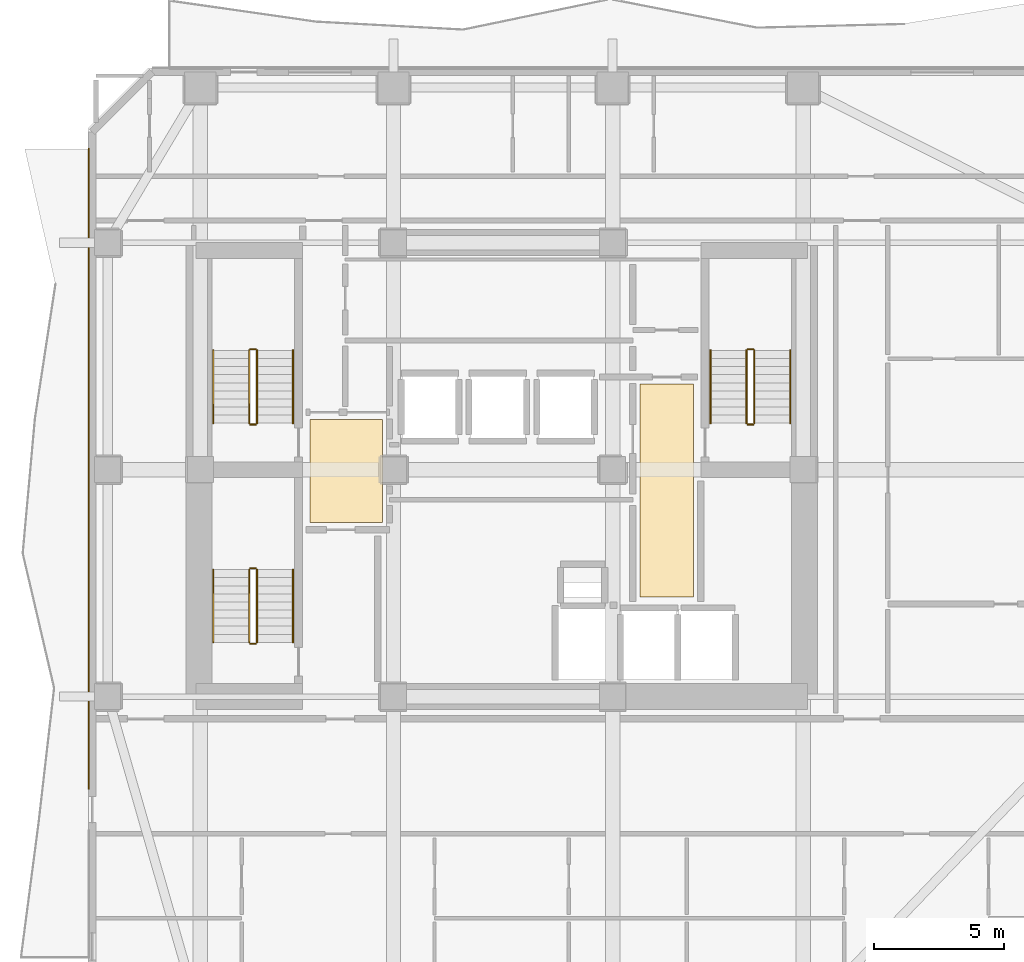
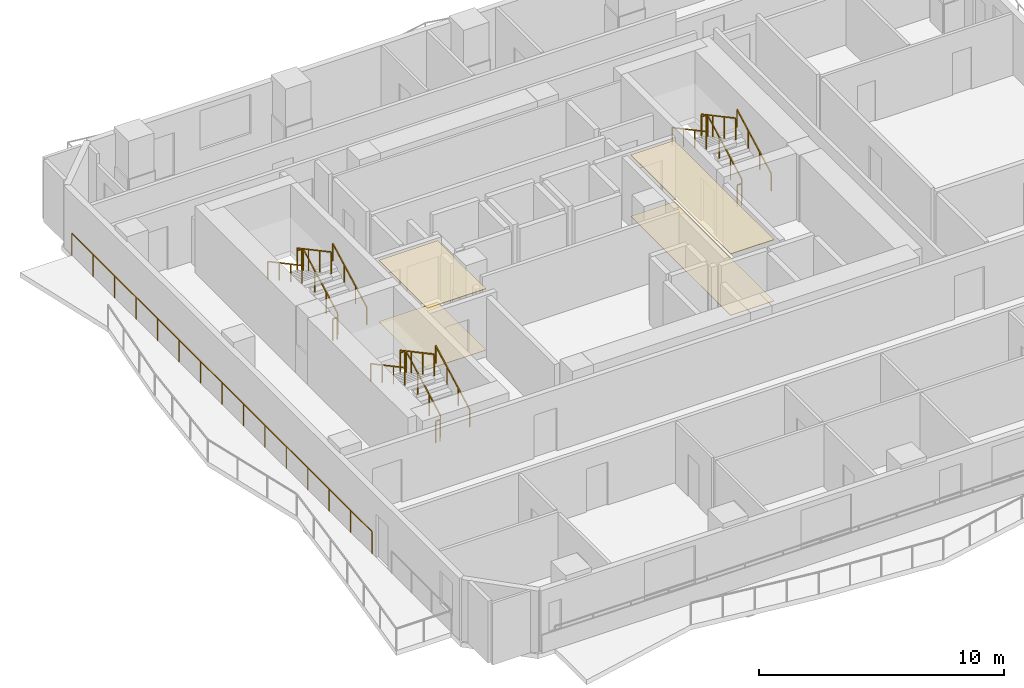
# One storey, part 8 of 9: 19 railings, 4 coverings.
"""IFC4 building model written with IfcOpenShell, lengths in metres."""

from ifc_helpers import new_model, si_unit, direction, frame, origin, origin_2d, place, context, subcontext, project, spatial, polyline, rectangle, outline, extrude, material, layer, layer_set, type_object, element, save


model = new_model("IFC4")

# Units and contexts
model_context = context("Model", 3, precision=1e-05, world=origin(), true_north=direction((0.0, 1.0)))
body_context = subcontext(model_context, "Body", "Model", "MODEL_VIEW")
ifc_project = project(units=[si_unit("LENGTHUNIT", "METRE"), si_unit("AREAUNIT", "SQUARE_METRE"), si_unit("VOLUMEUNIT", "CUBIC_METRE"), si_unit("PLANEANGLEUNIT", "RADIAN"), si_unit("MASSUNIT", "GRAM", prefix="KILO")], contexts=[model_context])

# Site, building, storey
site_placement = place(None, origin())
site = spatial("IfcSite", under=ifc_project, at=site_placement, CompositionType="ELEMENT")
building_placement = place(site_placement, origin())
building = spatial("IfcBuilding", under=site, at=building_placement, Name="Solanera Arch Residences", CompositionType="ELEMENT")
storey_placement = place(building_placement, frame((0.0, 0.0, 135.9599609375)))
storey = spatial("IfcBuildingStorey", under=building, at=storey_placement, Name="L39", CompositionType="ELEMENT", Elevation=135.9599609375)

# Railing
ifc_material_1 = material(Name="Steel S355 (ASTM A992 / A572 Grade 50)", Category="steel")
railing_type_1 = type_object("IfcRailingType", Name="Balustrade Railing BL-1100", PredefinedType="BALUSTRADE", material=ifc_material_1)
railing_1_placement = place(storey_placement, frame((9.1201171875, 18.472900390625, 0.0)))
element("IfcRailing", 1, at=railing_1_placement, inside=storey, type_object=railing_type_1, Name="L39 W Balcony Balustrade 2", PredefinedType="BALUSTRADE", context=body_context, shape_type="SweptSolid", body=[
    extrude(rectangle(XDim=0.048095703125, YDim=0.048095703125, at=origin_2d()), frame((0.0, 0.0, 1.09619140625), z_axis=(0.0, 1.0, 0.0), x_axis=(-1.0, 0.0, 0.0)), (0.0, 0.0, 1.0), 24.527099609375),
    extrude(rectangle(XDim=0.0419921875, YDim=0.0419921875, at=origin_2d()), origin(), (0.0, 0.0, 1.0), 1.072021484375),
    extrude(rectangle(XDim=0.0419921875, YDim=0.0419921875, at=origin_2d()), frame((0.0, 1.751953125, 0.0)), (0.0, 0.0, 1.0), 1.072021484375),
    extrude(rectangle(XDim=0.0419921875, YDim=0.0419921875, at=origin_2d()), frame((0.0, 3.50390625, 0.0)), (0.0, 0.0, 1.0), 1.072021484375),
    extrude(rectangle(XDim=0.0419921875, YDim=0.0419921875, at=origin_2d()), frame((0.0, 5.255859375, 0.0)), (0.0, 0.0, 1.0), 1.072021484375),
    extrude(rectangle(XDim=0.0419921875, YDim=0.0419921875, at=origin_2d()), frame((0.0, 7.0078125, 0.0)), (0.0, 0.0, 1.0), 1.072021484375),
    extrude(rectangle(XDim=0.0419921875, YDim=0.0419921875, at=origin_2d()), frame((0.0, 8.759765625, 0.0)), (0.0, 0.0, 1.0), 1.072021484375),
    extrude(rectangle(XDim=0.0419921875, YDim=0.0419921875, at=origin_2d()), frame((0.0, 10.51171875, 0.0)), (0.0, 0.0, 1.0), 1.072021484375),
    extrude(rectangle(XDim=0.0419921875, YDim=0.0419921875, at=origin_2d()), frame((0.0, 12.263671875, 0.0)), (0.0, 0.0, 1.0), 1.072021484375),
    extrude(rectangle(XDim=0.0419921875, YDim=0.0419921875, at=origin_2d()), frame((0.0, 14.015380859375, 0.0)), (0.0, 0.0, 1.0), 1.072021484375),
    extrude(rectangle(XDim=0.0419921875, YDim=0.0419921875, at=origin_2d()), frame((0.0, 15.767333984375, 0.0)), (0.0, 0.0, 1.0), 1.072021484375),
    extrude(rectangle(XDim=0.0419921875, YDim=0.0419921875, at=origin_2d()), frame((0.0, 17.519287109375, 0.0)), (0.0, 0.0, 1.0), 1.072021484375),
    extrude(rectangle(XDim=0.0419921875, YDim=0.0419921875, at=origin_2d()), frame((0.0, 19.271240234375, 0.0)), (0.0, 0.0, 1.0), 1.072021484375),
    extrude(rectangle(XDim=0.0419921875, YDim=0.0419921875, at=origin_2d()), frame((0.0, 21.023193359375, 0.0)), (0.0, 0.0, 1.0), 1.072021484375),
    extrude(rectangle(XDim=0.0419921875, YDim=0.0419921875, at=origin_2d()), frame((0.0, 22.775146484375, 0.0)), (0.0, 0.0, 1.0), 1.072021484375),
    extrude(rectangle(XDim=0.0419921875, YDim=0.0419921875, at=origin_2d()), frame((0.0, 24.527099609375, 0.0)), (0.0, 0.0, 1.0), 1.072021484375),
])

# Coverings
ifc_material_2 = material(Name="Porcelain Acoustic Floor Tile", Category="ceramic")
ifc_layer_1 = layer(ifc_material_2, 0.02001953125)
ifc_layer_set_1 = layer_set([ifc_layer_1], Name="Porcelain Acoustic Floor Tile")
covering_type_1 = type_object("IfcCoveringType", Name="Porcelain Acoustic Floor Finish FLR-20", PredefinedType="FLOORING", material=ifc_layer_set_1)
covering_1_placement = place(storey_placement, origin())
element("IfcCovering", 2, at=covering_1_placement, inside=storey, type_object=covering_type_1, Name="L39-FFL-W Porcelain Floor Finish", PredefinedType="FLOORING", context=body_context, shape_type="SweptSolid", body=[
    extrude(outline(polyline([(20.375, 28.675048828125), (17.594970703125, 28.675048828125), (17.594970703125, 32.625), (20.375, 32.625), (20.375, 28.675048828125)])), origin(), (0.0, 0.0, 1.0), 0.02001953125),
])
covering_2_placement = place(storey_placement, origin())
element("IfcCovering", 3, at=covering_2_placement, inside=storey, type_object=covering_type_1, Name="L39-FFL-E Porcelain Floor Finish", PredefinedType="FLOORING", context=body_context, shape_type="SweptSolid", body=[
    extrude(outline(polyline([(32.304931640625, 25.824951171875), (30.25, 25.824951171875), (30.25, 33.97509765625), (32.304931640625, 33.97509765625), (32.304931640625, 25.824951171875)])), origin(), (0.0, 0.0, 1.0), 0.02001953125),
])

# Railings
ifc_material_3 = material(Name="Steel S355 (ASTM A992 / A572 Grade 50)", Category="steel")
railing_type_2 = type_object("IfcRailingType", Name="Stair Guardrail GR-1100", PredefinedType="GUARDRAIL", material=ifc_material_3)
railing_2_placement = place(storey_placement, frame((15.570068359375, 32.47998046875, 0.151123046875)))
element("IfcRailing", 4, at=railing_2_placement, inside=storey, type_object=railing_type_2, Name="L39 ST-T1 stair guard 1", PredefinedType="GUARDRAIL", context=body_context, shape_type="SweptSolid", body=[
    extrude(rectangle(XDim=0.048095703125, YDim=0.048095703125, at=origin_2d()), frame((0.0, 0.0, 1.076171875), z_axis=(0.0, 0.881580869306, 0.472033018838), x_axis=(-1.0, 0.0, 0.0)), (0.0, 0.0, 1.0), 3.164794921875),
    extrude(rectangle(XDim=0.0419921875, YDim=0.0419921875, at=origin_2d()), origin(), (0.0, 0.0, 1.0), 1.052001953125),
    extrude(rectangle(XDim=0.0419921875, YDim=0.0419921875, at=origin_2d()), frame((0.0, 0.929931640625, 0.498046875)), (0.0, 0.0, 1.0), 1.052001953125),
    extrude(rectangle(XDim=0.0419921875, YDim=0.0419921875, at=origin_2d()), frame((0.0, 1.860107421875, 0.995849609375)), (0.0, 0.0, 1.0), 1.052001953125),
    extrude(rectangle(XDim=0.0419921875, YDim=0.0419921875, at=origin_2d()), frame((0.0, 2.7900390625, 1.493896484375)), (0.0, 0.0, 1.0), 1.052001953125),
])
railing_3_placement = place(storey_placement, frame((15.52001953125, 35.320068359375, 1.64501953125)))
element("IfcRailing", 5, at=railing_3_placement, inside=storey, type_object=railing_type_2, Name="L39 ST-T1 stair guard 2", PredefinedType="GUARDRAIL", context=body_context, shape_type="SweptSolid", body=[
    extrude(rectangle(XDim=0.048095703125, YDim=0.048095703125, at=origin_2d()), frame((0.0, 0.0, 1.076171875), z_axis=(-1.0, 0.0, 0.0), x_axis=(0.0, -1.0, 0.0)), (0.0, 0.0, 1.0), 0.199951171875),
    extrude(rectangle(XDim=0.0419921875, YDim=0.0419921875, at=origin_2d()), origin(), (0.0, 0.0, 1.0), 1.052001953125),
    extrude(rectangle(XDim=0.0419921875, YDim=0.0419921875, at=origin_2d()), frame((-0.199951171875, 0.0, 0.0)), (0.0, 0.0, 1.0), 1.052001953125),
])
railing_4_placement = place(storey_placement, frame((15.27001953125, 35.27001953125, 1.81103515625)))
element("IfcRailing", 6, at=railing_4_placement, inside=storey, type_object=railing_type_2, Name="L39 ST-T1 stair guard 3", PredefinedType="GUARDRAIL", context=body_context, shape_type="SweptSolid", body=[
    extrude(rectangle(XDim=0.048095703125, YDim=0.048095703125, at=origin_2d()), frame((0.0, 0.0, 1.076171875), z_axis=(0.0, -0.881580869306, 0.472033018838), x_axis=(1.0, 0.0, 0.0)), (0.0, 0.0, 1.0), 3.164794921875),
    extrude(rectangle(XDim=0.0419921875, YDim=0.0419921875, at=origin_2d()), origin(), (0.0, 0.0, 1.0), 1.052001953125),
    extrude(rectangle(XDim=0.0419921875, YDim=0.0419921875, at=origin_2d()), frame((0.0, -0.929931640625, 0.498046875)), (0.0, 0.0, 1.0), 1.052001953125),
    extrude(rectangle(XDim=0.0419921875, YDim=0.0419921875, at=origin_2d()), frame((0.0, -1.860107421875, 0.995849609375)), (0.0, 0.0, 1.0), 1.052001953125),
    extrude(rectangle(XDim=0.0419921875, YDim=0.0419921875, at=origin_2d()), frame((0.0, -2.7900390625, 1.493896484375)), (0.0, 0.0, 1.0), 1.052001953125),
])
railing_5_placement = place(storey_placement, frame((15.52001953125, 32.429931640625, -0.014892578125)))
element("IfcRailing", 7, at=railing_5_placement, inside=storey, type_object=railing_type_2, Name="L39 ST-T1 stair guard 4", PredefinedType="GUARDRAIL", context=body_context, shape_type="SweptSolid", body=[
    extrude(rectangle(XDim=0.048095703125, YDim=0.048095703125, at=origin_2d()), frame((0.0, 0.0, 1.076171875), z_axis=(-1.0, 0.0, 0.0), x_axis=(0.0, -1.0, 0.0)), (0.0, 0.0, 1.0), 0.199951171875),
    extrude(rectangle(XDim=0.0419921875, YDim=0.0419921875, at=origin_2d()), origin(), (0.0, 0.0, 1.0), 1.052001953125),
    extrude(rectangle(XDim=0.0419921875, YDim=0.0419921875, at=origin_2d()), frame((-0.199951171875, 0.0, 0.0)), (0.0, 0.0, 1.0), 1.052001953125),
])
railing_6_placement = place(storey_placement, frame((34.6298828125, 32.47998046875, 0.151123046875)))
element("IfcRailing", 8, at=railing_6_placement, inside=storey, type_object=railing_type_2, Name="L39 ST-T2 stair guard 1", PredefinedType="GUARDRAIL", context=body_context, shape_type="SweptSolid", body=[
    extrude(rectangle(XDim=0.048095703125, YDim=0.048095703125, at=origin_2d()), frame((0.0, 0.0, 1.076171875), z_axis=(0.0, 0.881580869306, 0.472033018838), x_axis=(-1.0, 0.0, 0.0)), (0.0, 0.0, 1.0), 3.164794921875),
    extrude(rectangle(XDim=0.0419921875, YDim=0.0419921875, at=origin_2d()), origin(), (0.0, 0.0, 1.0), 1.052001953125),
    extrude(rectangle(XDim=0.0419921875, YDim=0.0419921875, at=origin_2d()), frame((0.0, 0.929931640625, 0.498046875)), (0.0, 0.0, 1.0), 1.052001953125),
    extrude(rectangle(XDim=0.0419921875, YDim=0.0419921875, at=origin_2d()), frame((0.0, 1.860107421875, 0.995849609375)), (0.0, 0.0, 1.0), 1.052001953125),
    extrude(rectangle(XDim=0.0419921875, YDim=0.0419921875, at=origin_2d()), frame((0.0, 2.7900390625, 1.493896484375)), (0.0, 0.0, 1.0), 1.052001953125),
])
railing_7_placement = place(storey_placement, frame((34.580078125, 35.320068359375, 1.64501953125)))
element("IfcRailing", 9, at=railing_7_placement, inside=storey, type_object=railing_type_2, Name="L39 ST-T2 stair guard 2", PredefinedType="GUARDRAIL", context=body_context, shape_type="SweptSolid", body=[
    extrude(rectangle(XDim=0.048095703125, YDim=0.048095703125, at=origin_2d()), frame((0.0, 0.0, 1.076171875), z_axis=(-1.0, 0.0, 0.0), x_axis=(0.0, -1.0, 0.0)), (0.0, 0.0, 1.0), 0.2001953125),
    extrude(rectangle(XDim=0.0419921875, YDim=0.0419921875, at=origin_2d()), origin(), (0.0, 0.0, 1.0), 1.052001953125),
    extrude(rectangle(XDim=0.0419921875, YDim=0.0419921875, at=origin_2d()), frame((-0.2001953125, 0.0, 0.0)), (0.0, 0.0, 1.0), 1.052001953125),
])
railing_8_placement = place(storey_placement, frame((34.330078125, 35.27001953125, 1.81103515625)))
element("IfcRailing", 10, at=railing_8_placement, inside=storey, type_object=railing_type_2, Name="L39 ST-T2 stair guard 3", PredefinedType="GUARDRAIL", context=body_context, shape_type="SweptSolid", body=[
    extrude(rectangle(XDim=0.048095703125, YDim=0.048095703125, at=origin_2d()), frame((0.0, 0.0, 1.076171875), z_axis=(0.0, -0.881580869306, 0.472033018838), x_axis=(1.0, 0.0, 0.0)), (0.0, 0.0, 1.0), 3.164794921875),
    extrude(rectangle(XDim=0.0419921875, YDim=0.0419921875, at=origin_2d()), origin(), (0.0, 0.0, 1.0), 1.052001953125),
    extrude(rectangle(XDim=0.0419921875, YDim=0.0419921875, at=origin_2d()), frame((0.0, -0.929931640625, 0.498046875)), (0.0, 0.0, 1.0), 1.052001953125),
    extrude(rectangle(XDim=0.0419921875, YDim=0.0419921875, at=origin_2d()), frame((0.0, -1.860107421875, 0.995849609375)), (0.0, 0.0, 1.0), 1.052001953125),
    extrude(rectangle(XDim=0.0419921875, YDim=0.0419921875, at=origin_2d()), frame((0.0, -2.7900390625, 1.493896484375)), (0.0, 0.0, 1.0), 1.052001953125),
])
railing_9_placement = place(storey_placement, frame((34.580078125, 32.429931640625, -0.014892578125)))
element("IfcRailing", 11, at=railing_9_placement, inside=storey, type_object=railing_type_2, Name="L39 ST-T2 stair guard 4", PredefinedType="GUARDRAIL", context=body_context, shape_type="SweptSolid", body=[
    extrude(rectangle(XDim=0.048095703125, YDim=0.048095703125, at=origin_2d()), frame((0.0, 0.0, 1.076171875), z_axis=(-1.0, 0.0, 0.0), x_axis=(0.0, -1.0, 0.0)), (0.0, 0.0, 1.0), 0.2001953125),
    extrude(rectangle(XDim=0.0419921875, YDim=0.0419921875, at=origin_2d()), origin(), (0.0, 0.0, 1.0), 1.052001953125),
    extrude(rectangle(XDim=0.0419921875, YDim=0.0419921875, at=origin_2d()), frame((-0.2001953125, 0.0, 0.0)), (0.0, 0.0, 1.0), 1.052001953125),
])
railing_10_placement = place(storey_placement, frame((15.570068359375, 24.080078125, 0.151123046875)))
element("IfcRailing", 12, at=railing_10_placement, inside=storey, type_object=railing_type_2, Name="L39 ST-T3 stair guard 1", PredefinedType="GUARDRAIL", context=body_context, shape_type="SweptSolid", body=[
    extrude(rectangle(XDim=0.048095703125, YDim=0.048095703125, at=origin_2d()), frame((0.0, 0.0, 1.076171875), z_axis=(0.0, 0.881580869306, 0.472033018838), x_axis=(-1.0, 0.0, 0.0)), (0.0, 0.0, 1.0), 3.164794921875),
    extrude(rectangle(XDim=0.0419921875, YDim=0.0419921875, at=origin_2d()), origin(), (0.0, 0.0, 1.0), 1.052001953125),
    extrude(rectangle(XDim=0.0419921875, YDim=0.0419921875, at=origin_2d()), frame((0.0, 0.929931640625, 0.498046875)), (0.0, 0.0, 1.0), 1.052001953125),
    extrude(rectangle(XDim=0.0419921875, YDim=0.0419921875, at=origin_2d()), frame((0.0, 1.860107421875, 0.995849609375)), (0.0, 0.0, 1.0), 1.052001953125),
    extrude(rectangle(XDim=0.0419921875, YDim=0.0419921875, at=origin_2d()), frame((0.0, 2.7900390625, 1.493896484375)), (0.0, 0.0, 1.0), 1.052001953125),
])
railing_11_placement = place(storey_placement, frame((15.52001953125, 26.919921875, 1.64501953125)))
element("IfcRailing", 13, at=railing_11_placement, inside=storey, type_object=railing_type_2, Name="L39 ST-T3 stair guard 2", PredefinedType="GUARDRAIL", context=body_context, shape_type="SweptSolid", body=[
    extrude(rectangle(XDim=0.048095703125, YDim=0.048095703125, at=origin_2d()), frame((0.0, 0.0, 1.076171875), z_axis=(-1.0, 0.0, 0.0), x_axis=(0.0, -1.0, 0.0)), (0.0, 0.0, 1.0), 0.199951171875),
    extrude(rectangle(XDim=0.0419921875, YDim=0.0419921875, at=origin_2d()), origin(), (0.0, 0.0, 1.0), 1.052001953125),
    extrude(rectangle(XDim=0.0419921875, YDim=0.0419921875, at=origin_2d()), frame((-0.199951171875, 0.0, 0.0)), (0.0, 0.0, 1.0), 1.052001953125),
])
railing_12_placement = place(storey_placement, frame((15.27001953125, 26.8701171875, 1.81103515625)))
element("IfcRailing", 14, at=railing_12_placement, inside=storey, type_object=railing_type_2, Name="L39 ST-T3 stair guard 3", PredefinedType="GUARDRAIL", context=body_context, shape_type="SweptSolid", body=[
    extrude(rectangle(XDim=0.048095703125, YDim=0.048095703125, at=origin_2d()), frame((0.0, 0.0, 1.076171875), z_axis=(0.0, -0.881580869306, 0.472033018838), x_axis=(1.0, 0.0, 0.0)), (0.0, 0.0, 1.0), 3.164794921875),
    extrude(rectangle(XDim=0.0419921875, YDim=0.0419921875, at=origin_2d()), origin(), (0.0, 0.0, 1.0), 1.052001953125),
    extrude(rectangle(XDim=0.0419921875, YDim=0.0419921875, at=origin_2d()), frame((0.0, -0.929931640625, 0.498046875)), (0.0, 0.0, 1.0), 1.052001953125),
    extrude(rectangle(XDim=0.0419921875, YDim=0.0419921875, at=origin_2d()), frame((0.0, -1.860107421875, 0.995849609375)), (0.0, 0.0, 1.0), 1.052001953125),
    extrude(rectangle(XDim=0.0419921875, YDim=0.0419921875, at=origin_2d()), frame((0.0, -2.7900390625, 1.493896484375)), (0.0, 0.0, 1.0), 1.052001953125),
])
railing_13_placement = place(storey_placement, frame((15.52001953125, 24.030029296875, -0.014892578125)))
element("IfcRailing", 15, at=railing_13_placement, inside=storey, type_object=railing_type_2, Name="L39 ST-T3 stair guard 4", PredefinedType="GUARDRAIL", context=body_context, shape_type="SweptSolid", body=[
    extrude(rectangle(XDim=0.048095703125, YDim=0.048095703125, at=origin_2d()), frame((0.0, 0.0, 1.076171875), z_axis=(-1.0, 0.0, 0.0), x_axis=(0.0, -1.0, 0.0)), (0.0, 0.0, 1.0), 0.199951171875),
    extrude(rectangle(XDim=0.0419921875, YDim=0.0419921875, at=origin_2d()), origin(), (0.0, 0.0, 1.0), 1.052001953125),
    extrude(rectangle(XDim=0.0419921875, YDim=0.0419921875, at=origin_2d()), frame((-0.199951171875, 0.0, 0.0)), (0.0, 0.0, 1.0), 1.052001953125),
])
ifc_material_4 = material(Name="Steel S355 (ASTM A992 / A572 Grade 50)", Category="steel")
railing_type_3 = type_object("IfcRailingType", Name="Stair Wall Handrail HR-920", PredefinedType="HANDRAIL", material=ifc_material_4)
railing_14_placement = place(storey_placement, frame((16.949951171875, 32.47998046875, 0.166015625)))
element("IfcRailing", 16, at=railing_14_placement, inside=storey, type_object=railing_type_3, Name="L39 ST-T1 stair handrail 1", PredefinedType="HANDRAIL", context=body_context, shape_type="SweptSolid", body=[
    extrude(rectangle(XDim=0.048095703125, YDim=0.048095703125, at=origin_2d()), frame((0.0, 0.0, 0.8759765625), z_axis=(0.0, 0.881548766853, 0.472092969298), x_axis=(-1.0, 0.0, 0.0)), (0.0, 0.0, 1.0), 3.1650390625),
    extrude(rectangle(XDim=0.0419921875, YDim=0.0419921875, at=origin_2d()), origin(), (0.0, 0.0, 1.0), 0.851806640625),
    extrude(rectangle(XDim=0.0419921875, YDim=0.0419921875, at=origin_2d()), frame((0.0, 0.929931640625, 0.498046875)), (0.0, 0.0, 1.0), 0.851806640625),
    extrude(rectangle(XDim=0.0419921875, YDim=0.0419921875, at=origin_2d()), frame((0.0, 1.860107421875, 0.99609375)), (0.0, 0.0, 1.0), 0.851806640625),
    extrude(rectangle(XDim=0.0419921875, YDim=0.0419921875, at=origin_2d()), frame((0.0, 2.7900390625, 1.494140625)), (0.0, 0.0, 1.0), 0.851806640625),
])
railing_15_placement = place(storey_placement, frame((13.889892578125, 35.27001953125, 1.825927734375)))
element("IfcRailing", 17, at=railing_15_placement, inside=storey, type_object=railing_type_3, Name="L39 ST-T1 stair handrail 2", PredefinedType="HANDRAIL", context=body_context, shape_type="SweptSolid", body=[
    extrude(rectangle(XDim=0.048095703125, YDim=0.048095703125, at=origin_2d()), frame((0.0, 0.0, 0.8759765625), z_axis=(0.0, -0.881548766853, 0.472092969298), x_axis=(1.0, 0.0, 0.0)), (0.0, 0.0, 1.0), 3.1650390625),
    extrude(rectangle(XDim=0.0419921875, YDim=0.0419921875, at=origin_2d()), origin(), (0.0, 0.0, 1.0), 0.851806640625),
    extrude(rectangle(XDim=0.0419921875, YDim=0.0419921875, at=origin_2d()), frame((0.0, -0.929931640625, 0.498046875)), (0.0, 0.0, 1.0), 0.851806640625),
    extrude(rectangle(XDim=0.0419921875, YDim=0.0419921875, at=origin_2d()), frame((0.0, -1.860107421875, 0.99609375)), (0.0, 0.0, 1.0), 0.851806640625),
    extrude(rectangle(XDim=0.0419921875, YDim=0.0419921875, at=origin_2d()), frame((0.0, -2.7900390625, 1.494140625)), (0.0, 0.0, 1.0), 0.851806640625),
])
railing_16_placement = place(storey_placement, frame((36.010009765625, 32.47998046875, 0.166015625)))
element("IfcRailing", 18, at=railing_16_placement, inside=storey, type_object=railing_type_3, Name="L39 ST-T2 stair handrail 1", PredefinedType="HANDRAIL", context=body_context, shape_type="SweptSolid", body=[
    extrude(rectangle(XDim=0.048095703125, YDim=0.048095703125, at=origin_2d()), frame((0.0, 0.0, 0.8759765625), z_axis=(0.0, 0.881548766853, 0.472092969298), x_axis=(-1.0, 0.0, 0.0)), (0.0, 0.0, 1.0), 3.1650390625),
    extrude(rectangle(XDim=0.0419921875, YDim=0.0419921875, at=origin_2d()), origin(), (0.0, 0.0, 1.0), 0.851806640625),
    extrude(rectangle(XDim=0.0419921875, YDim=0.0419921875, at=origin_2d()), frame((0.0, 0.929931640625, 0.498046875)), (0.0, 0.0, 1.0), 0.851806640625),
    extrude(rectangle(XDim=0.0419921875, YDim=0.0419921875, at=origin_2d()), frame((0.0, 1.860107421875, 0.99609375)), (0.0, 0.0, 1.0), 0.851806640625),
    extrude(rectangle(XDim=0.0419921875, YDim=0.0419921875, at=origin_2d()), frame((0.0, 2.7900390625, 1.494140625)), (0.0, 0.0, 1.0), 0.851806640625),
])
railing_17_placement = place(storey_placement, frame((32.949951171875, 35.27001953125, 1.825927734375)))
element("IfcRailing", 19, at=railing_17_placement, inside=storey, type_object=railing_type_3, Name="L39 ST-T2 stair handrail 2", PredefinedType="HANDRAIL", context=body_context, shape_type="SweptSolid", body=[
    extrude(rectangle(XDim=0.048095703125, YDim=0.048095703125, at=origin_2d()), frame((0.0, 0.0, 0.8759765625), z_axis=(0.0, -0.881548766853, 0.472092969298), x_axis=(1.0, 0.0, 0.0)), (0.0, 0.0, 1.0), 3.1650390625),
    extrude(rectangle(XDim=0.0419921875, YDim=0.0419921875, at=origin_2d()), origin(), (0.0, 0.0, 1.0), 0.851806640625),
    extrude(rectangle(XDim=0.0419921875, YDim=0.0419921875, at=origin_2d()), frame((0.0, -0.929931640625, 0.498046875)), (0.0, 0.0, 1.0), 0.851806640625),
    extrude(rectangle(XDim=0.0419921875, YDim=0.0419921875, at=origin_2d()), frame((0.0, -1.860107421875, 0.99609375)), (0.0, 0.0, 1.0), 0.851806640625),
    extrude(rectangle(XDim=0.0419921875, YDim=0.0419921875, at=origin_2d()), frame((0.0, -2.7900390625, 1.494140625)), (0.0, 0.0, 1.0), 0.851806640625),
])
railing_18_placement = place(storey_placement, frame((16.949951171875, 24.080078125, 0.166015625)))
element("IfcRailing", 20, at=railing_18_placement, inside=storey, type_object=railing_type_3, Name="L39 ST-T3 stair handrail 1", PredefinedType="HANDRAIL", context=body_context, shape_type="SweptSolid", body=[
    extrude(rectangle(XDim=0.048095703125, YDim=0.048095703125, at=origin_2d()), frame((0.0, 0.0, 0.8759765625), z_axis=(0.0, 0.881548766853, 0.472092969298), x_axis=(-1.0, 0.0, 0.0)), (0.0, 0.0, 1.0), 3.1650390625),
    extrude(rectangle(XDim=0.0419921875, YDim=0.0419921875, at=origin_2d()), origin(), (0.0, 0.0, 1.0), 0.851806640625),
    extrude(rectangle(XDim=0.0419921875, YDim=0.0419921875, at=origin_2d()), frame((0.0, 0.929931640625, 0.498046875)), (0.0, 0.0, 1.0), 0.851806640625),
    extrude(rectangle(XDim=0.0419921875, YDim=0.0419921875, at=origin_2d()), frame((0.0, 1.860107421875, 0.99609375)), (0.0, 0.0, 1.0), 0.851806640625),
    extrude(rectangle(XDim=0.0419921875, YDim=0.0419921875, at=origin_2d()), frame((0.0, 2.7900390625, 1.494140625)), (0.0, 0.0, 1.0), 0.851806640625),
])
railing_19_placement = place(storey_placement, frame((13.889892578125, 26.8701171875, 1.825927734375)))
element("IfcRailing", 21, at=railing_19_placement, inside=storey, type_object=railing_type_3, Name="L39 ST-T3 stair handrail 2", PredefinedType="HANDRAIL", context=body_context, shape_type="SweptSolid", body=[
    extrude(rectangle(XDim=0.048095703125, YDim=0.048095703125, at=origin_2d()), frame((0.0, 0.0, 0.8759765625), z_axis=(0.0, -0.881548766853, 0.472092969298), x_axis=(1.0, 0.0, 0.0)), (0.0, 0.0, 1.0), 3.1650390625),
    extrude(rectangle(XDim=0.0419921875, YDim=0.0419921875, at=origin_2d()), origin(), (0.0, 0.0, 1.0), 0.851806640625),
    extrude(rectangle(XDim=0.0419921875, YDim=0.0419921875, at=origin_2d()), frame((0.0, -0.929931640625, 0.498046875)), (0.0, 0.0, 1.0), 0.851806640625),
    extrude(rectangle(XDim=0.0419921875, YDim=0.0419921875, at=origin_2d()), frame((0.0, -1.860107421875, 0.99609375)), (0.0, 0.0, 1.0), 0.851806640625),
    extrude(rectangle(XDim=0.0419921875, YDim=0.0419921875, at=origin_2d()), frame((0.0, -2.7900390625, 1.494140625)), (0.0, 0.0, 1.0), 0.851806640625),
])

# Coverings
ifc_material_5 = material(Name="Mineral Fibre Acoustic Ceiling Board", Category="gypsum")
ifc_layer_2 = layer(ifc_material_5, 0.02490234375)
ifc_layer_set_2 = layer_set([ifc_layer_2], Name="Mineral Fibre Acoustic Ceiling Board")
covering_type_2 = type_object("IfcCoveringType", Name="Suspended Acoustic Ceiling Board CLG-25", PredefinedType="CEILING", material=ifc_layer_set_2)
covering_3_placement = place(storey_placement, frame((0.0, 0.0, 3.054931640625)))
element("IfcCovering", 22, at=covering_3_placement, inside=storey, type_object=covering_type_2, Name="L39-FFL-W Acoustic Ceiling", PredefinedType="CEILING", context=body_context, shape_type="SweptSolid", body=[
    extrude(outline(polyline([(20.375, 28.675048828125), (17.594970703125, 28.675048828125), (17.594970703125, 32.625), (20.375, 32.625), (20.375, 28.675048828125)])), origin(), (0.0, 0.0, 1.0), 0.025146484375),
])
covering_4_placement = place(storey_placement, frame((0.0, 0.0, 3.054931640625)))
element("IfcCovering", 23, at=covering_4_placement, inside=storey, type_object=covering_type_2, Name="L39-FFL-E Acoustic Ceiling", PredefinedType="CEILING", context=body_context, shape_type="SweptSolid", body=[
    extrude(outline(polyline([(32.304931640625, 25.824951171875), (30.25, 25.824951171875), (30.25, 33.97509765625), (32.304931640625, 33.97509765625), (32.304931640625, 25.824951171875)])), origin(), (0.0, 0.0, 1.0), 0.025146484375),
])

save(model, "model.ifc")
